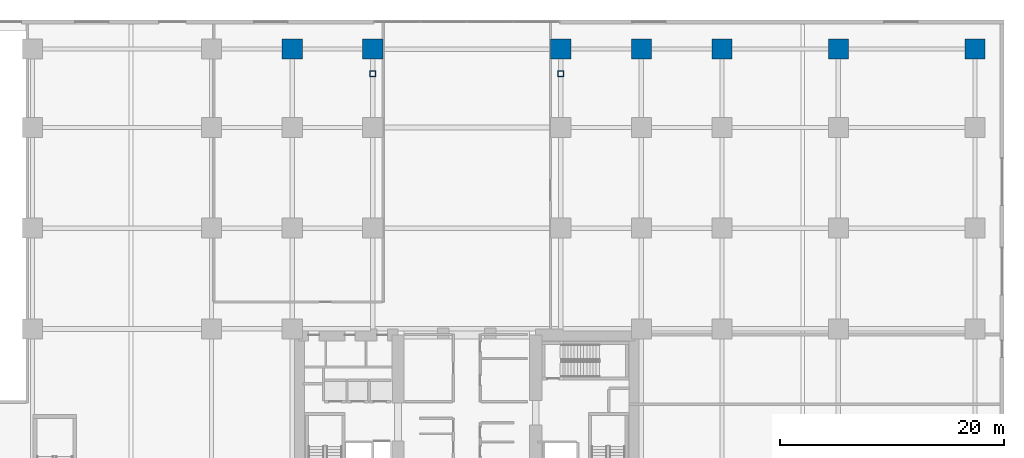
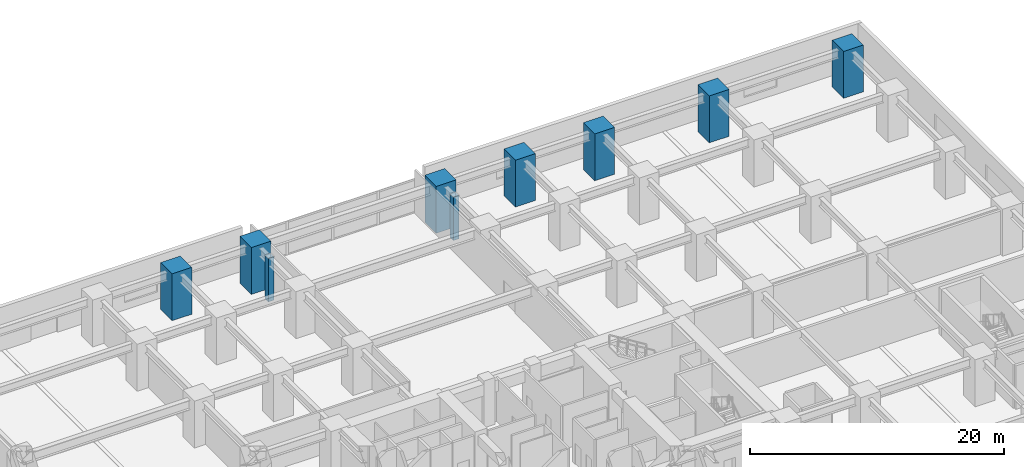
# One storey, part 3 of 26: 9 columns.
"""IFC4 building model written with IfcOpenShell, lengths in metres."""

import ifcopenshell
import ifcopenshell.guid

model = None  # the IFC model being written
_history = None  # IfcOwnerHistory: only IFC2X3 demands one
_inside = {}  # id of a spatial element -> (the spatial element, [elements in it])
_under = {}  # id of a project, library or spatial element -> (it, [spatial elements below it])
_declared = {}  # id of a project -> (the project, [libraries it declares])
_typed = {}  # id of a type object -> (the type object, [elements of that type])
_made_of = {}  # id of a material, layer set ... -> (it, [elements and type objects made of it])


def new_model(schema):
    """Start an empty IFC model of exactly this schema.

    Asked for "IFC4X3", IfcOpenShell would pick the latest addendum, in which some entities
    have other attributes; the version numbers below select the first issue.
    IFC2X3 requires an IfcOwnerHistory on every rooted entity: one is made here for all.
    """
    global model, _history
    if schema == "IFC4X3":
        model = ifcopenshell.file(schema_version=(4, 3, 0, 0))
    else:
        model = ifcopenshell.file(schema=schema)
    _inside.clear()
    _under.clear()
    _declared.clear()
    _typed.clear()
    _made_of.clear()
    _history = None
    if model.schema == "IFC2X3":
        org = make("IfcOrganization", Name="unknown")
        user = make(
            "IfcPersonAndOrganization",
            ThePerson=make("IfcPerson", FamilyName="unknown"),
            TheOrganization=org,
        )
        app = make(
            "IfcApplication",
            ApplicationDeveloper=org,
            Version="unknown",
            ApplicationFullName="unknown",
            ApplicationIdentifier="unknown",
        )
        _history = make(
            "IfcOwnerHistory",
            OwningUser=user,
            OwningApplication=app,
            ChangeAction="ADDED",
            CreationDate=0,
        )
    return model


def make(cls, **values):
    """One entity of the class cls with the attributes given. An attribute that is None is left unset."""
    return model.create_entity(
        cls, **{name: value for name, value in values.items() if value is not None}
    )


def rooted(cls, **values):
    """An entity with a GlobalId (a new one), such as an element, a storey or a relation."""
    return make(cls, GlobalId=ifcopenshell.guid.new(), OwnerHistory=_history, **values)


def si_unit(unit_type, name, prefix=None):
    """IfcSIUnit, for example si_unit("LENGTHUNIT", "METRE", prefix="MILLI")."""
    return make("IfcSIUnit", UnitType=unit_type, Prefix=prefix, Name=name)


def assignment(units):
    """IfcUnitAssignment: the units of a project."""
    return None if units is None else make("IfcUnitAssignment", Units=units)


def point(xyz):
    """IfcCartesianPoint."""
    return None if xyz is None else make("IfcCartesianPoint", Coordinates=xyz)


def direction(xyz):
    """IfcDirection."""
    return None if xyz is None else make("IfcDirection", DirectionRatios=xyz)


def frame(location, z_axis=None, x_axis=None):
    """IfcAxis2Placement3D, a coordinate frame: its origin and axes. An axis left out is left unset."""
    return make(
        "IfcAxis2Placement3D",
        Location=point(location),
        Axis=direction(z_axis),
        RefDirection=direction(x_axis),
    )


def frame_2d(location, x_axis=None):
    """IfcAxis2Placement2D, a coordinate frame in the plane: its origin and x axis."""
    return make(
        "IfcAxis2Placement2D", Location=point(location), RefDirection=direction(x_axis)
    )


def origin():
    """The frame at (0, 0, 0) with its axes left unset."""
    return frame((0.0, 0.0, 0.0))


def origin_2d():
    """The frame at (0, 0) in the plane with its x axis left unset."""
    return frame_2d((0.0, 0.0))


def place(relative_to, where):
    """IfcLocalPlacement: puts the frame where relative to a parent placement (None: the world)."""
    return make(
        "IfcLocalPlacement", PlacementRelTo=relative_to, RelativePlacement=where
    )


def context(
    kind, dimensions, precision=None, world=None, true_north=None, identifier=None
):
    """IfcGeometricRepresentationContext, for example the 3D "Model" context."""
    return make(
        "IfcGeometricRepresentationContext",
        ContextIdentifier=identifier,
        ContextType=kind,
        CoordinateSpaceDimension=dimensions,
        Precision=precision,
        WorldCoordinateSystem=world,
        TrueNorth=true_north,
    )


def subcontext(parent, identifier, kind, view, scale=None):
    """IfcGeometricRepresentationSubContext, for example "Body" below "Model"."""
    return make(
        "IfcGeometricRepresentationSubContext",
        ContextIdentifier=identifier,
        ContextType=kind,
        ParentContext=parent,
        TargetScale=scale,
        TargetView=view,
    )


def project(units=None, contexts=None):
    """IfcProject with its units and contexts."""
    return rooted(
        "IfcProject",
        Name="project",
        RepresentationContexts=contexts,
        UnitsInContext=assignment(units),
    )


def spatial(cls, under=None, at=None, **own):
    """A site, building, storey or space (cls), placed at a placement, below another one or the project."""
    s = rooted(cls, ObjectPlacement=at, **own)
    if under is not None:
        _under.setdefault(under.id(), (under, []))[1].append(s)
    return s


def profile(cls, at=None, kind="AREA", **sizes):
    """A parametric profile (cls). Its sizes go by their IFC names, for example OverallWidth=200.0."""
    return make(cls, ProfileType=kind, Position=at, **sizes)


def rectangle(**sizes):
    """IfcRectangleProfileDef."""
    return profile("IfcRectangleProfileDef", **sizes)


def hollow_rectangle(**sizes):
    """IfcRectangleHollowProfileDef."""
    return profile("IfcRectangleHollowProfileDef", **sizes)


def extrude(swept, where, along, depth):
    """IfcExtrudedAreaSolid: the profile swept, set in the frame where, extruded along a direction by depth."""
    return make(
        "IfcExtrudedAreaSolid",
        SweptArea=swept,
        Position=where,
        ExtrudedDirection=direction(along),
        Depth=depth,
    )


def shape(context_of_items, identifier, shape_type, items):
    """IfcShapeRepresentation: the items that make up one representation, for example the "Body"."""
    return make(
        "IfcShapeRepresentation",
        ContextOfItems=context_of_items,
        RepresentationIdentifier=identifier,
        RepresentationType=shape_type,
        Items=items,
    )


def material(Name=None, Category=None):
    """IfcMaterial."""
    return make("IfcMaterial", Name=Name, Category=Category)


def material_profile(
    of_material, cross_section, Name=None, Category=None, Priority=None
):
    """IfcMaterialProfile: a cross section and its material."""
    return make(
        "IfcMaterialProfile",
        Name=Name,
        Material=of_material,
        Profile=cross_section,
        Priority=Priority,
        Category=Category,
    )


def profile_set(profiles, Name=None, composite=None):
    """IfcMaterialProfileSet."""
    return make(
        "IfcMaterialProfileSet",
        Name=Name,
        MaterialProfiles=profiles,
        CompositeProfile=composite,
    )


def made_of(thing, what):
    """Note that an element or type object is made of a material, layer set ...; save() writes the relation."""
    if what is not None:
        _made_of.setdefault(what.id(), (what, []))[1].append(thing)
    return thing


def type_object(cls, material=None, **own):
    """A type object (cls), such as IfcWallType, which elements share."""
    return made_of(rooted(cls, **own), material)


def element(
    cls,
    number,
    at=None,
    inside=None,
    cuts=None,
    type_object=None,
    material=None,
    context=None,
    identifier="Body",
    shape_type=None,
    held_by="IfcProductDefinitionShape",
    body=None,
    shapes=None,
    **own,
):
    """One element of the class cls, such as IfcWall. Its Tag is "e" and its number.

    at: its placement. inside: the storey or other place that contains it. cuts: it is an
    opening in that element (IfcRelVoidsElement). A single representation is given by context,
    identifier, shape_type and body (its items); several are given by shapes. held_by: the class
    of the entity that holds the representations. save() writes the other relations.
    """
    e = rooted(cls, Tag="e%d" % number, ObjectPlacement=at, **own)
    if body is not None:
        shapes = [shape(context, identifier, shape_type, body)]
    if shapes is not None:
        e.Representation = make(held_by, Representations=shapes)
    if inside is not None:
        _inside.setdefault(inside.id(), (inside, []))[1].append(e)
    if cuts is not None:
        rooted(
            "IfcRelVoidsElement", RelatingBuildingElement=cuts, RelatedOpeningElement=e
        )
    if type_object is not None:
        _typed.setdefault(type_object.id(), (type_object, []))[1].append(e)
    return made_of(e, material)


def aggregate(whole, parts):
    """IfcRelAggregates: a whole, such as a stair, and the parts it consists of."""
    return rooted("IfcRelAggregates", RelatingObject=whole, RelatedObjects=parts)


def save(model, path):
    """Write the relations noted so far, then the file.

    IfcRelAggregates (storeys below a building ...), IfcRelContainedInSpatialStructure (elements
    in a storey), IfcRelDefinesByType, IfcRelAssociatesMaterial and IfcRelDeclares: one each for
    every whole, place, type object, material and project.
    """
    for whole, parts in _under.values():
        aggregate(whole, parts)
    for where, things in _inside.values():
        rooted(
            "IfcRelContainedInSpatialStructure",
            RelatedElements=things,
            RelatingStructure=where,
        )
    for kind, things in _typed.values():
        rooted("IfcRelDefinesByType", RelatedObjects=things, RelatingType=kind)
    for what, things in _made_of.values():
        rooted("IfcRelAssociatesMaterial", RelatedObjects=things, RelatingMaterial=what)
    for by, libraries in _declared.values():
        rooted("IfcRelDeclares", RelatingContext=by, RelatedDefinitions=libraries)
    model.write(path)


model = new_model("IFC4")

# Units and contexts
model_context = context("Model", 3, precision=1e-05, world=origin(), true_north=direction((0.0, 1.0)))
body_context = subcontext(model_context, "Body", "Model", "MODEL_VIEW")
ifc_project = project(units=[si_unit("LENGTHUNIT", "METRE"), si_unit("AREAUNIT", "SQUARE_METRE"), si_unit("VOLUMEUNIT", "CUBIC_METRE"), si_unit("PLANEANGLEUNIT", "RADIAN"), si_unit("MASSUNIT", "GRAM", prefix="KILO")], contexts=[model_context])

# Site, building, storey
site_placement = place(None, origin())
site = spatial("IfcSite", under=ifc_project, at=site_placement, CompositionType="ELEMENT")
building_placement = place(site_placement, origin())
building = spatial("IfcBuilding", under=site, at=building_placement, Name="Kiyonajd Concourse Tower", CompositionType="ELEMENT")
storey_placement = place(building_placement, origin())
storey = spatial("IfcBuildingStorey", under=building, at=storey_placement, Name="L01", CompositionType="ELEMENT", Elevation=0.0)

# Columns
ifc_material_1 = material(Name="Concrete C80/95", Category="concrete")
ifc_material_profile_1 = material_profile(ifc_material_1, rectangle(XDim=1.800048828125, YDim=1.800048828125, at=origin_2d()), Name="RC-1800x1800")
ifc_profile_set_1 = profile_set([ifc_material_profile_1], Name="Concrete C80/95")
column_type_1 = type_object("IfcColumnType", Name="CL-MEGA-1800", PredefinedType="COLUMN", material=ifc_profile_set_1)
for number, where, z_axis, x_axis, name in (
    (1, (32.39990234375, 69.39990234375, 0.0), (0.0, 0.0, 1.0), (1.0, 0.0, 0.0), "L01 Podium Mega Column"),
    (2, (39.60009765625, 69.39990234375, 0.0), (0.0, 0.0, 1.0), (1.0, 0.0, 0.0), "L01 Podium Mega Column"),
    (3, (56.39990234375, 69.39990234375, 0.0), (0.0, 0.0, 1.0), (1.0, 0.0, 0.0), "L01 Podium Mega Column"),
    (4, (63.60009765625, 69.39990234375, 0.0), (0.0, 0.0, 1.0), (1.0, 0.0, 0.0), "L01 Podium Mega Column"),
    (5, (70.800048828125, 69.39990234375, 0.0), (0.0, 0.0, 1.0), (1.0, 0.0, 0.0), "L01 Podium Mega Column"),
    (6, (81.199951171875, 69.39990234375, 0.0), (0.0, 0.0, 1.0), (1.0, 0.0, 0.0), "L01 Podium Mega Column"),
    (7, (93.39990234375, 69.39990234375, 0.0), (0.0, 0.0, 1.0), (1.0, 0.0, 0.0), "L01 Podium Mega Column"),
):
    element("IfcColumn", number, at=place(storey_placement, frame(where, z_axis=z_axis, x_axis=x_axis)), inside=storey, type_object=column_type_1, Name=name, PredefinedType="COLUMN", context=body_context, shape_type="SweptSolid", body=[
        extrude(rectangle(XDim=1.800048828125, YDim=1.800048828125, at=origin_2d()), origin(), (0.0, 0.0, 1.0), 4.5),
    ])
ifc_material_2 = material(Name="Steel ASTM A572 Grade 50", Category="steel")
ifc_material_profile_2 = material_profile(ifc_material_2, hollow_rectangle(XDim=0.5, YDim=0.5, WallThickness=0.02490234375, at=origin_2d()), Name="HSS-500x500x25")
ifc_profile_set_2 = profile_set([ifc_material_profile_2], Name="Steel ASTM A572 Grade 50")
column_type_2 = type_object("IfcColumnType", Name="CL-PIL-600", PredefinedType="PILASTER", material=ifc_profile_set_2)
for number, where, z_axis, x_axis, name in (
    (8, (39.60009765625, 67.199951171875, 0.0), (0.0, 0.0, 1.0), (1.0, 0.0, 0.0), "L01 Concourse Facade Pilaster Column"),
    (9, (56.39990234375, 67.199951171875, 0.0), (0.0, 0.0, 1.0), (1.0, 0.0, 0.0), "L01 Concourse Facade Pilaster Column"),
):
    element("IfcColumn", number, at=place(storey_placement, frame(where, z_axis=z_axis, x_axis=x_axis)), inside=storey, type_object=column_type_2, Name=name, PredefinedType="PILASTER", context=body_context, shape_type="SweptSolid", body=[
        extrude(hollow_rectangle(XDim=0.5, YDim=0.5, WallThickness=0.02490234375, at=origin_2d()), origin(), (0.0, 0.0, 1.0), 4.179931640625),
    ])

save(model, "model.ifc")
